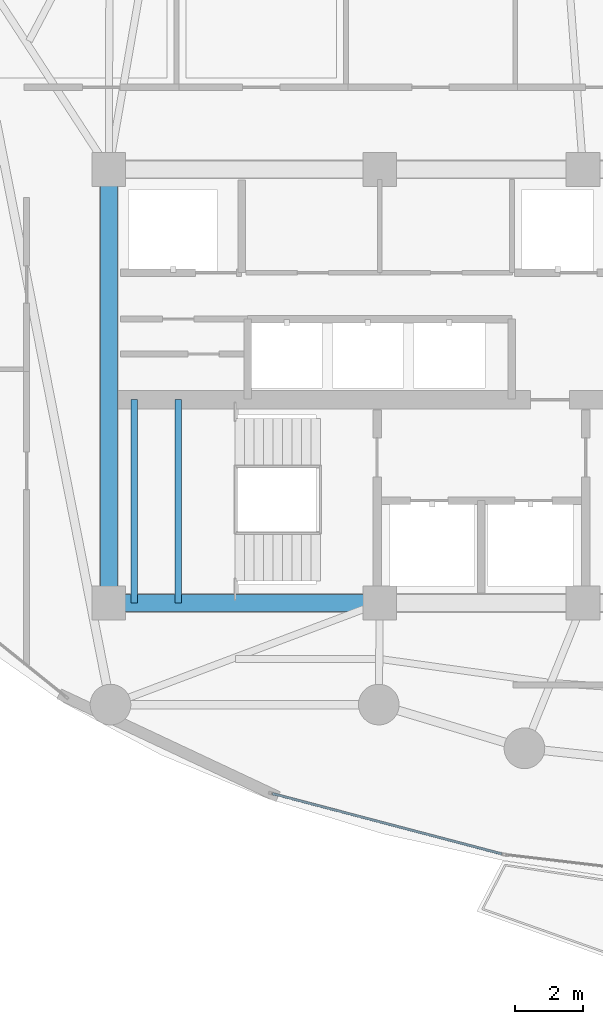
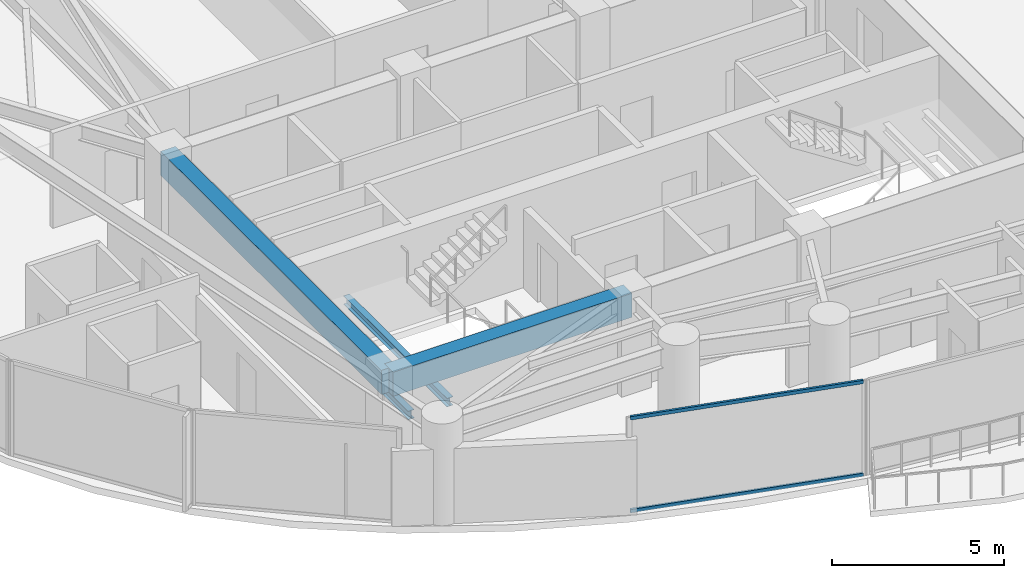
# One storey, part 4 of 33: 4 beams, 2 members, 1 element without a shape of its own.
"""IFC4 building model written with IfcOpenShell, lengths in metres."""

import ifcopenshell
import ifcopenshell.guid

model = None  # the IFC model being written
_history = None  # IfcOwnerHistory: only IFC2X3 demands one
_inside = {}  # id of a spatial element -> (the spatial element, [elements in it])
_under = {}  # id of a project, library or spatial element -> (it, [spatial elements below it])
_declared = {}  # id of a project -> (the project, [libraries it declares])
_typed = {}  # id of a type object -> (the type object, [elements of that type])
_made_of = {}  # id of a material, layer set ... -> (it, [elements and type objects made of it])


def new_model(schema):
    """Start an empty IFC model of exactly this schema.

    Asked for "IFC4X3", IfcOpenShell would pick the latest addendum, in which some entities
    have other attributes; the version numbers below select the first issue.
    IFC2X3 requires an IfcOwnerHistory on every rooted entity: one is made here for all.
    """
    global model, _history
    if schema == "IFC4X3":
        model = ifcopenshell.file(schema_version=(4, 3, 0, 0))
    else:
        model = ifcopenshell.file(schema=schema)
    _inside.clear()
    _under.clear()
    _declared.clear()
    _typed.clear()
    _made_of.clear()
    _history = None
    if model.schema == "IFC2X3":
        org = make("IfcOrganization", Name="unknown")
        user = make(
            "IfcPersonAndOrganization",
            ThePerson=make("IfcPerson", FamilyName="unknown"),
            TheOrganization=org,
        )
        app = make(
            "IfcApplication",
            ApplicationDeveloper=org,
            Version="unknown",
            ApplicationFullName="unknown",
            ApplicationIdentifier="unknown",
        )
        _history = make(
            "IfcOwnerHistory",
            OwningUser=user,
            OwningApplication=app,
            ChangeAction="ADDED",
            CreationDate=0,
        )
    return model


def make(cls, **values):
    """One entity of the class cls with the attributes given. An attribute that is None is left unset."""
    return model.create_entity(
        cls, **{name: value for name, value in values.items() if value is not None}
    )


def rooted(cls, **values):
    """An entity with a GlobalId (a new one), such as an element, a storey or a relation."""
    return make(cls, GlobalId=ifcopenshell.guid.new(), OwnerHistory=_history, **values)


def si_unit(unit_type, name, prefix=None):
    """IfcSIUnit, for example si_unit("LENGTHUNIT", "METRE", prefix="MILLI")."""
    return make("IfcSIUnit", UnitType=unit_type, Prefix=prefix, Name=name)


def assignment(units):
    """IfcUnitAssignment: the units of a project."""
    return None if units is None else make("IfcUnitAssignment", Units=units)


def point(xyz):
    """IfcCartesianPoint."""
    return None if xyz is None else make("IfcCartesianPoint", Coordinates=xyz)


def direction(xyz):
    """IfcDirection."""
    return None if xyz is None else make("IfcDirection", DirectionRatios=xyz)


def frame(location, z_axis=None, x_axis=None):
    """IfcAxis2Placement3D, a coordinate frame: its origin and axes. An axis left out is left unset."""
    return make(
        "IfcAxis2Placement3D",
        Location=point(location),
        Axis=direction(z_axis),
        RefDirection=direction(x_axis),
    )


def frame_2d(location, x_axis=None):
    """IfcAxis2Placement2D, a coordinate frame in the plane: its origin and x axis."""
    return make(
        "IfcAxis2Placement2D", Location=point(location), RefDirection=direction(x_axis)
    )


def origin():
    """The frame at (0, 0, 0) with its axes left unset."""
    return frame((0.0, 0.0, 0.0))


def origin_2d():
    """The frame at (0, 0) in the plane with its x axis left unset."""
    return frame_2d((0.0, 0.0))


def place(relative_to, where):
    """IfcLocalPlacement: puts the frame where relative to a parent placement (None: the world)."""
    return make(
        "IfcLocalPlacement", PlacementRelTo=relative_to, RelativePlacement=where
    )


def context(
    kind, dimensions, precision=None, world=None, true_north=None, identifier=None
):
    """IfcGeometricRepresentationContext, for example the 3D "Model" context."""
    return make(
        "IfcGeometricRepresentationContext",
        ContextIdentifier=identifier,
        ContextType=kind,
        CoordinateSpaceDimension=dimensions,
        Precision=precision,
        WorldCoordinateSystem=world,
        TrueNorth=true_north,
    )


def subcontext(parent, identifier, kind, view, scale=None):
    """IfcGeometricRepresentationSubContext, for example "Body" below "Model"."""
    return make(
        "IfcGeometricRepresentationSubContext",
        ContextIdentifier=identifier,
        ContextType=kind,
        ParentContext=parent,
        TargetScale=scale,
        TargetView=view,
    )


def project(units=None, contexts=None):
    """IfcProject with its units and contexts."""
    return rooted(
        "IfcProject",
        Name="project",
        RepresentationContexts=contexts,
        UnitsInContext=assignment(units),
    )


def spatial(cls, under=None, at=None, **own):
    """A site, building, storey or space (cls), placed at a placement, below another one or the project."""
    s = rooted(cls, ObjectPlacement=at, **own)
    if under is not None:
        _under.setdefault(under.id(), (under, []))[1].append(s)
    return s


def profile(cls, at=None, kind="AREA", **sizes):
    """A parametric profile (cls). Its sizes go by their IFC names, for example OverallWidth=200.0."""
    return make(cls, ProfileType=kind, Position=at, **sizes)


def rectangle(**sizes):
    """IfcRectangleProfileDef."""
    return profile("IfcRectangleProfileDef", **sizes)


def hollow_rectangle(**sizes):
    """IfcRectangleHollowProfileDef."""
    return profile("IfcRectangleHollowProfileDef", **sizes)


def i_section(**sizes):
    """IfcIShapeProfileDef."""
    return profile("IfcIShapeProfileDef", **sizes)


def extrude(swept, where, along, depth):
    """IfcExtrudedAreaSolid: the profile swept, set in the frame where, extruded along a direction by depth."""
    return make(
        "IfcExtrudedAreaSolid",
        SweptArea=swept,
        Position=where,
        ExtrudedDirection=direction(along),
        Depth=depth,
    )


def shape(context_of_items, identifier, shape_type, items):
    """IfcShapeRepresentation: the items that make up one representation, for example the "Body"."""
    return make(
        "IfcShapeRepresentation",
        ContextOfItems=context_of_items,
        RepresentationIdentifier=identifier,
        RepresentationType=shape_type,
        Items=items,
    )


def material(Name=None, Category=None):
    """IfcMaterial."""
    return make("IfcMaterial", Name=Name, Category=Category)


def layer(
    of_material, thickness, ventilated=None, Name=None, Category=None, Priority=None
):
    """IfcMaterialLayer: one layer of a wall or slab, of a material (None: an air gap)."""
    return make(
        "IfcMaterialLayer",
        Material=of_material,
        LayerThickness=thickness,
        IsVentilated=ventilated,
        Name=Name,
        Category=Category,
        Priority=Priority,
    )


def layer_set(layers, Name=None):
    """IfcMaterialLayerSet."""
    return make("IfcMaterialLayerSet", MaterialLayers=layers, LayerSetName=Name)


def material_profile(
    of_material, cross_section, Name=None, Category=None, Priority=None
):
    """IfcMaterialProfile: a cross section and its material."""
    return make(
        "IfcMaterialProfile",
        Name=Name,
        Material=of_material,
        Profile=cross_section,
        Priority=Priority,
        Category=Category,
    )


def profile_set(profiles, Name=None, composite=None):
    """IfcMaterialProfileSet."""
    return make(
        "IfcMaterialProfileSet",
        Name=Name,
        MaterialProfiles=profiles,
        CompositeProfile=composite,
    )


def made_of(thing, what):
    """Note that an element or type object is made of a material, layer set ...; save() writes the relation."""
    if what is not None:
        _made_of.setdefault(what.id(), (what, []))[1].append(thing)
    return thing


def type_object(cls, material=None, **own):
    """A type object (cls), such as IfcWallType, which elements share."""
    return made_of(rooted(cls, **own), material)


def element(
    cls,
    number,
    at=None,
    inside=None,
    cuts=None,
    type_object=None,
    material=None,
    context=None,
    identifier="Body",
    shape_type=None,
    held_by="IfcProductDefinitionShape",
    body=None,
    shapes=None,
    **own,
):
    """One element of the class cls, such as IfcWall. Its Tag is "e" and its number.

    at: its placement. inside: the storey or other place that contains it. cuts: it is an
    opening in that element (IfcRelVoidsElement). A single representation is given by context,
    identifier, shape_type and body (its items); several are given by shapes. held_by: the class
    of the entity that holds the representations. save() writes the other relations.
    """
    e = rooted(cls, Tag="e%d" % number, ObjectPlacement=at, **own)
    if body is not None:
        shapes = [shape(context, identifier, shape_type, body)]
    if shapes is not None:
        e.Representation = make(held_by, Representations=shapes)
    if inside is not None:
        _inside.setdefault(inside.id(), (inside, []))[1].append(e)
    if cuts is not None:
        rooted(
            "IfcRelVoidsElement", RelatingBuildingElement=cuts, RelatedOpeningElement=e
        )
    if type_object is not None:
        _typed.setdefault(type_object.id(), (type_object, []))[1].append(e)
    return made_of(e, material)


def aggregate(whole, parts):
    """IfcRelAggregates: a whole, such as a stair, and the parts it consists of."""
    return rooted("IfcRelAggregates", RelatingObject=whole, RelatedObjects=parts)


def save(model, path):
    """Write the relations noted so far, then the file.

    IfcRelAggregates (storeys below a building ...), IfcRelContainedInSpatialStructure (elements
    in a storey), IfcRelDefinesByType, IfcRelAssociatesMaterial and IfcRelDeclares: one each for
    every whole, place, type object, material and project.
    """
    for whole, parts in _under.values():
        aggregate(whole, parts)
    for where, things in _inside.values():
        rooted(
            "IfcRelContainedInSpatialStructure",
            RelatedElements=things,
            RelatingStructure=where,
        )
    for kind, things in _typed.values():
        rooted("IfcRelDefinesByType", RelatedObjects=things, RelatingType=kind)
    for what, things in _made_of.values():
        rooted("IfcRelAssociatesMaterial", RelatedObjects=things, RelatingMaterial=what)
    for by, libraries in _declared.values():
        rooted("IfcRelDeclares", RelatingContext=by, RelatedDefinitions=libraries)
    model.write(path)


model = new_model("IFC4")

# Units and contexts
model_context = context("Model", 3, precision=1e-05, world=origin(), true_north=direction((0.0, 1.0)))
body_context = subcontext(model_context, "Body", "Model", "MODEL_VIEW")
ifc_project = project(units=[si_unit("LENGTHUNIT", "METRE"), si_unit("AREAUNIT", "SQUARE_METRE"), si_unit("VOLUMEUNIT", "CUBIC_METRE"), si_unit("PLANEANGLEUNIT", "RADIAN"), si_unit("MASSUNIT", "GRAM", prefix="KILO")], contexts=[model_context])

# Site, building, storey
site_placement = place(None, origin())
site = spatial("IfcSite", under=ifc_project, at=site_placement, CompositionType="ELEMENT")
building_placement = place(site_placement, origin())
building = spatial("IfcBuilding", under=site, at=building_placement, Name="Kazevale Care Tower and Concert Hall", CompositionType="ELEMENT")
storey_placement = place(building_placement, frame((0.0, 0.0, 153.0)))
storey = spatial("IfcBuildingStorey", under=building, at=storey_placement, Name="L40", CompositionType="ELEMENT", Elevation=153.0)

# Curtain wall, members
ifc_material_1 = material(Name="Aluminium 6063-T6 and Low-E Glass", Category="aluminium")
ifc_layer = layer(ifc_material_1, 0.179931640625)
ifc_layer_set = layer_set([ifc_layer], Name="Aluminium 6063-T6 and Low-E Glass")
curtain_wall_type = type_object("IfcCurtainWallType", Name="Sheltered Concave Balcony Curtain Wall CW-5", PredefinedType="NOTDEFINED", material=ifc_layer_set)
curtain_wall_placement = place(storey_placement, origin())
curtain_wall = element("IfcCurtainWall", 1, at=curtain_wall_placement, inside=storey, type_object=curtain_wall_type, Name="cw:L40:f08", PredefinedType="NOTDEFINED")
ifc_material_2 = material(Name="Aluminium 6063-T6", Category="aluminium")
ifc_material_profile_1 = material_profile(ifc_material_2, hollow_rectangle(XDim=0.074951171875, YDim=0.1201171875, WallThickness=0.00390625, at=origin_2d()), Name="ALU75x120x4")
ifc_profile_set_1 = profile_set([ifc_material_profile_1], Name="Aluminium 6063-T6")
member_type = type_object("IfcMemberType", Name="CW-5 Transom ALU75x120x4", PredefinedType="USERDEFINED", material=ifc_profile_set_1)
member_1_placement = place(storey_placement, frame((33.598388671875, 16.193115234375, 0.03759765625), z_axis=(-0.967142752699, 0.254233939321, 0.0), x_axis=(-0.254233939321, -0.967142752699, 0.0)))
member_1 = element("IfcMember", 2, at=member_1_placement, type_object=member_type, Name="CW-5 transom 1.1", ObjectType="TRANSOM", PredefinedType="USERDEFINED", context=body_context, shape_type="SweptSolid", body=[
    extrude(hollow_rectangle(XDim=0.074951171875, YDim=0.1201171875, WallThickness=0.00390625, at=origin_2d()), origin(), (0.0, 0.0, 1.0), 6.996826171875),
])
member_2_placement = place(storey_placement, frame((33.598388671875, 16.193115234375, 3.322509765625), z_axis=(-0.967142752699, 0.254233939321, 0.0), x_axis=(-0.254233939321, -0.967142752699, 0.0)))
member_2 = element("IfcMember", 3, at=member_2_placement, type_object=member_type, Name="CW-5 transom 1.2", ObjectType="TRANSOM", PredefinedType="USERDEFINED", context=body_context, shape_type="SweptSolid", body=[
    extrude(hollow_rectangle(XDim=0.074951171875, YDim=0.1201171875, WallThickness=0.00390625, at=origin_2d()), origin(), (0.0, 0.0, 1.0), 6.996826171875),
])
aggregate(curtain_wall, [member_1, member_2])

# Beams
ifc_material_3 = material(Name="Concrete C60", Category="concrete")
ifc_material_profile_2 = material_profile(ifc_material_3, rectangle(XDim=0.5, YDim=0.85009765625, at=origin_2d()), Name="RC-B500x850")
ifc_profile_set_2 = profile_set([ifc_material_profile_2], Name="Concrete C60")
beam_type_1 = type_object("IfcBeamType", Name="Core Coupling Beam RC500x850", PredefinedType="LINTEL", material=ifc_profile_set_2)
beam_1_placement = place(storey_placement, frame((22.0, 23.60009765625, 2.93505859375), z_axis=(1.0, 0.0, 0.0), x_axis=(0.0, 1.0, 0.0)))
element("IfcBeam", 4, at=beam_1_placement, inside=storey, type_object=beam_type_1, Name="beam:L40:coretie:1", PredefinedType="LINTEL", context=body_context, shape_type="SweptSolid", body=[
    extrude(rectangle(XDim=0.5, YDim=0.85009765625, at=origin_2d()), origin(), (0.0, 0.0, 1.0), 8.0),
])
beam_2_placement = place(storey_placement, frame((22.0, 36.39990234375, 2.93505859375), z_axis=(0.0, -1.0, 0.0), x_axis=(1.0, 0.0, 0.0)))
element("IfcBeam", 5, at=beam_2_placement, inside=storey, type_object=beam_type_1, Name="beam:L40:coretie:8", PredefinedType="LINTEL", context=body_context, shape_type="SweptSolid", body=[
    extrude(rectangle(XDim=0.5, YDim=0.85009765625, at=origin_2d()), origin(), (0.0, 0.0, 1.0), 12.7998046875),
])
ifc_material_4 = material(Name="Steel ASTM A572 Gr 50", Category="steel")
ifc_material_profile_3 = material_profile(ifc_material_4, i_section(OverallWidth=0.202880859375, OverallDepth=0.302978515625, WebThickness=0.007568359375, FlangeThickness=0.01318359375, at=origin_2d()), Name="W310x60")
ifc_profile_set_3 = profile_set([ifc_material_profile_3], Name="Steel ASTM A572 Gr 50")
beam_type_2 = type_object("IfcBeamType", Name="Stair & Balcony Trimmer W310x60", PredefinedType="BEAM", material=ifc_profile_set_3)
for number, where, z_axis, x_axis, name in (
    (6, (22.75, 23.60009765625, 1.448486328125), (0.0, 1.0, 0.0), (-1.0, 0.0, 0.0), "beam:L40:sttrim:ST1"),
    (7, (24.050048828125, 23.60009765625, 1.448486328125), (0.0, 1.0, 0.0), (-1.0, 0.0, 0.0), "beam:L40:sttrim:ST1b"),
):
    element("IfcBeam", number, at=place(storey_placement, frame(where, z_axis=z_axis, x_axis=x_axis)), inside=storey, type_object=beam_type_2, Name=name, PredefinedType="BEAM", context=body_context, shape_type="SweptSolid", body=[
        extrude(i_section(OverallWidth=0.202880859375, OverallDepth=0.302978515625, WebThickness=0.007568359375, FlangeThickness=0.01318359375, at=origin_2d()), origin(), (0.0, 0.0, 1.0), 6.0),
    ])

save(model, "model.ifc")
